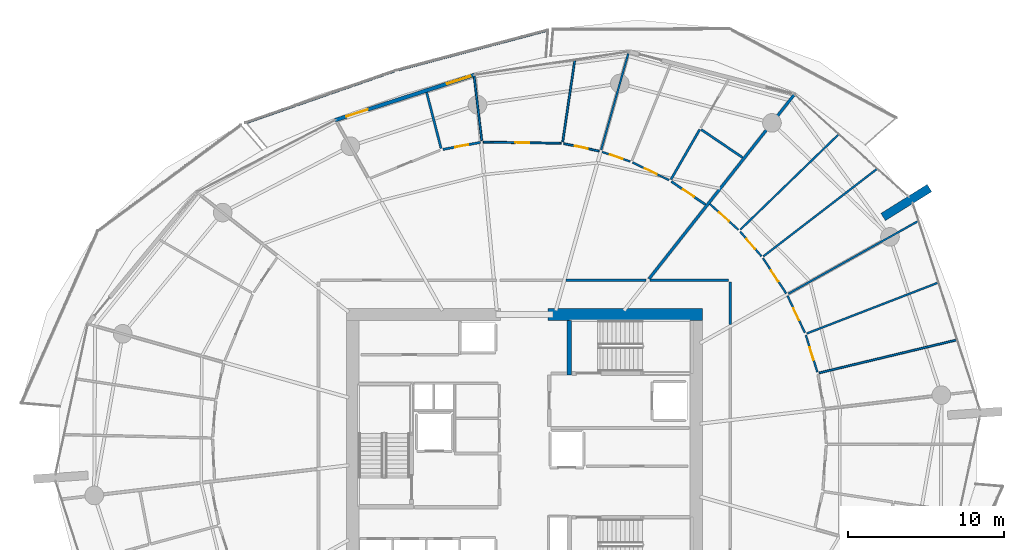
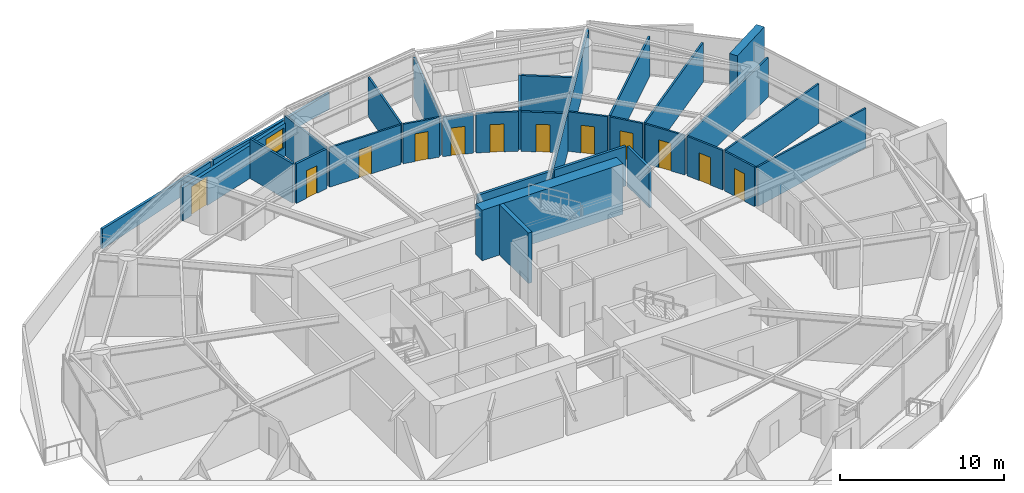
# One storey, part 15 of 23: 32 walls, 12 doors, 1 window, 13 openings.
"""IFC4 building model written with IfcOpenShell, lengths in metres."""

from ifc_helpers import new_model, si_unit, direction, frame, frame_2d, origin, place, context, subcontext, project, spatial, polyline, rectangle, outline, extrude, material, layer, layer_set, type_object, element, fill, save


model = new_model("IFC4")

# Units and contexts
model_context = context("Model", 3, precision=1e-05, world=origin(), true_north=direction((0.0, 1.0)))
body_context = subcontext(model_context, "Body", "Model", "MODEL_VIEW")
ifc_project = project(units=[si_unit("LENGTHUNIT", "METRE"), si_unit("AREAUNIT", "SQUARE_METRE"), si_unit("VOLUMEUNIT", "CUBIC_METRE"), si_unit("PLANEANGLEUNIT", "RADIAN"), si_unit("MASSUNIT", "GRAM", prefix="KILO")], contexts=[model_context])

# Site, building, storey
site_placement = place(None, origin())
site = spatial("IfcSite", under=ifc_project, at=site_placement, CompositionType="ELEMENT")
building_placement = place(site_placement, origin())
building = spatial("IfcBuilding", under=site, at=building_placement, Name="Kazma Halo Residences", CompositionType="ELEMENT")
storey_placement = place(building_placement, frame((0.0, 0.0, 105.14990234375)))
storey = spatial("IfcBuildingStorey", under=building, at=storey_placement, Name="L26", CompositionType="ELEMENT", Elevation=105.14990234375)

# Walls
ifc_material_1 = material(Name="White Concrete C50/60 Balustrade", Category="concrete")
ifc_layer_1 = layer(ifc_material_1, 0.179931640625)
ifc_layer_set_1 = layer_set([ifc_layer_1], Name="White Concrete C50/60 Balustrade")
wall_type_1 = type_object("IfcWallType", Name="WL-BAL-WAVE-180", PredefinedType="PARAPET", material=ifc_layer_set_1)
wall_1_placement = place(storey_placement, frame((49.935302734375, 68.672119140625, 0.0), z_axis=(0.0, 0.0, 1.0), x_axis=(-0.966557844724, -0.25644869429, 0.0)))
element("IfcWall", 1, at=wall_1_placement, inside=storey, type_object=wall_type_1, Name="L26 white wave balustrade wall NNW.1", PredefinedType="PARAPET", context=body_context, shape_type="SweptSolid", body=[
    extrude(outline(polyline([(0.0, 0.0), (9.97802734375, 0.0), (9.977783203125, 1.148193359375), (4.989013671875, 1.127197265625), (0.0, 1.22412109375), (0.0, 0.0)])), frame((0.0, 0.08984375, 0.0), z_axis=(0.0, -1.0, 0.0), x_axis=(1.0, 0.0, 0.0)), (0.0, 0.0, 1.0), 0.179931640625),
])
wall_2_placement = place(storey_placement, frame((40.061767578125, 66.04296875, 0.0), z_axis=(0.0, 0.0, 1.0), x_axis=(-0.944336605893, -0.328980812161, 0.0)))
element("IfcWall", 2, at=wall_2_placement, inside=storey, type_object=wall_type_1, Name="L26 white wave balustrade wall NNW.2", PredefinedType="PARAPET", context=body_context, shape_type="SweptSolid", body=[
    extrude(outline(polyline([(0.0, 0.0), (10.102294921875, 0.0), (10.102294921875, 1.483154296875), (5.05126953125, 1.2841796875), (0.0, 1.148193359375), (0.0, 0.0)])), frame((0.0, 0.08984375, 0.0), z_axis=(0.0, -1.0, 0.0), x_axis=(1.0, 0.0, 0.0)), (0.0, 0.0, 1.0), 0.179931640625),
])
ifc_material_2 = material(Name="Pale Concrete C60/75", Category="concrete")
ifc_layer_2 = layer(ifc_material_2, 0.550048828125)
ifc_layer_set_2 = layer_set([ifc_layer_2], Name="Pale Concrete C60/75")
wall_type_2 = type_object("IfcWallType", Name="WL-BLADE-550", PredefinedType="SOLIDWALL", material=ifc_layer_set_2)
wall_3_placement = place(storey_placement, frame((71.468505859375, 56.664794921875, 0.0), z_axis=(0.0, 0.0, 1.0), x_axis=(0.848053161125, 0.529911158502, 0.0)))
element("IfcWall", 3, at=wall_3_placement, inside=storey, type_object=wall_type_2, Name="L26 pale concrete structural blade fin wall BW-01", PredefinedType="SOLIDWALL", context=body_context, shape_type="SweptSolid", body=[
    extrude(rectangle(XDim=3.5, YDim=0.550048828125, at=frame_2d((1.75, 0.0))), origin(), (0.0, 0.0, 1.0), 3.75),
])
ifc_material_3 = material(Name="Concrete C80/95", Category="concrete")
ifc_layer_3 = layer(ifc_material_3, 0.800048828125)
ifc_layer_set_3 = layer_set([ifc_layer_3], Name="Concrete C80/95")
wall_type_3 = type_object("IfcWallType", Name="WL-CORE-800", PredefinedType="SHEAR", material=ifc_layer_set_3)
wall_4_placement = place(storey_placement, frame((49.949951171875, 50.39990234375, 0.0), z_axis=(0.0, 0.0, 1.0), x_axis=(1.0, 0.0, 0.0)))
element("IfcWall", 4, at=wall_4_placement, inside=storey, type_object=wall_type_3, Name="L26 central core shear wall NE", PredefinedType="SHEAR", context=body_context, shape_type="SweptSolid", body=[
    extrude(rectangle(XDim=9.900146484375, YDim=0.800048828125, at=frame_2d((4.9501953125, 0.0))), origin(), (0.0, 0.0, 1.0), 3.75),
])
ifc_material_4 = material(Name="Concrete C60/75", Category="concrete")
ifc_layer_4 = layer(ifc_material_4, 0.280029296875)
ifc_layer_set_4 = layer_set([ifc_layer_4], Name="Concrete C60/75")
wall_type_4 = type_object("IfcWallType", Name="WL-CORE-ST-280", PredefinedType="SHEAR", material=ifc_layer_set_4)
wall_5_placement = place(storey_placement, frame((51.31005859375, 46.5, 0.0), z_axis=(0.0, 0.0, 1.0), x_axis=(0.0, 1.0, 0.0)))
element("IfcWall", 5, at=wall_5_placement, inside=storey, type_object=wall_type_4, Name="L26 stairwell bearing wall ST02-W", PredefinedType="SHEAR", context=body_context, shape_type="SweptSolid", body=[
    extrude(rectangle(XDim=3.5, YDim=0.280029296875, at=frame_2d((1.75, 0.0))), origin(), (0.0, 0.0, 1.0), 3.75),
])
ifc_material_5 = material(Name="Acoustic Twin-Stud Gypsum")
ifc_layer_5 = layer(ifc_material_5, 0.179931640625)
ifc_layer_set_5 = layer_set([ifc_layer_5], Name="Acoustic Twin-Stud Gypsum")
wall_type_5 = type_object("IfcWallType", Name="WL-DEM-180", PredefinedType="PARTITIONING", material=ifc_layer_set_5)
wall_6_placement = place(storey_placement, frame((56.424560546875, 52.686279296875, 0.0), z_axis=(0.0, 0.0, 1.0), x_axis=(0.619083417853, 0.785325233098, 0.0)))
element("IfcWall", 6, at=wall_6_placement, inside=storey, type_object=wall_type_5, Name="L26 apartment demising radial wall 01", PredefinedType="PARTITIONING", context=body_context, shape_type="SweptSolid", body=[
    extrude(rectangle(XDim=15.063232421875, YDim=0.179931640625, at=frame_2d((7.53173828125, 0.0))), origin(), (0.0, 0.0, 1.0), 2.940185546875),
])
wall_7_placement = place(storey_placement, frame((56.236328125, 52.60009765625, 0.0), z_axis=(0.0, 0.0, 1.0), x_axis=(-1.0, 0.0, 0.0)))
element("IfcWall", 7, at=wall_7_placement, inside=storey, type_object=wall_type_5, Name="L26 Apartment 1 inner wall 1", PredefinedType="PARTITIONING", context=body_context, shape_type="SweptSolid", body=[
    extrude(rectangle(XDim=5.126708984375, YDim=0.179931640625, at=frame_2d((2.5634765625, 0.0))), origin(), (0.0, 0.0, 1.0), 2.940185546875),
])
wall_8_placement = place(storey_placement, frame((61.64990234375, 49.764404296875, 0.0), z_axis=(0.0, 0.0, 1.0), x_axis=(0.0, 1.0, 0.0)))
element("IfcWall", 8, at=wall_8_placement, inside=storey, type_object=wall_type_5, Name="L26 Apartment 3 inner wall 0", PredefinedType="PARTITIONING", context=body_context, shape_type="SweptSolid", body=[
    extrude(rectangle(XDim=2.715576171875, YDim=0.179931640625, at=frame_2d((1.35791015625, 0.0))), origin(), (0.0, 0.0, 1.0), 2.940185546875),
])
wall_9_placement = place(storey_placement, frame((61.530029296875, 52.60009765625, 0.0), z_axis=(0.0, 0.0, 1.0), x_axis=(-1.0, 0.0, 0.0)))
element("IfcWall", 9, at=wall_9_placement, inside=storey, type_object=wall_type_5, Name="L26 Apartment 3 inner wall 0", PredefinedType="PARTITIONING", context=body_context, shape_type="SweptSolid", body=[
    extrude(rectangle(XDim=5.0537109375, YDim=0.179931640625, at=frame_2d((2.52685546875, 0.0))), origin(), (0.0, 0.0, 1.0), 2.940185546875),
])

# Wall, openings, door, window
ifc_material_6 = material(Name="Insulated Pale-Metal Composite Wall")
ifc_layer_6 = layer(ifc_material_6, 0.239990234375)
ifc_layer_set_6 = layer_set([ifc_layer_6], Name="Insulated Pale-Metal Composite Wall")
wall_type_6 = type_object("IfcWallType", Name="WL-EXT-HOST-240", PredefinedType="SOLIDWALL", material=ifc_layer_set_6)
wall_10_placement = place(storey_placement, frame((45.23291015625, 65.797119140625, 0.0), z_axis=(0.0, 0.0, 1.0), x_axis=(-0.951052494852, -0.30902937083, 0.0)))
wall_10 = element("IfcWall", 10, at=wall_10_placement, inside=storey, type_object=wall_type_6, Name="L26 exterior terrace-access wall B04", PredefinedType="SOLIDWALL", context=body_context, shape_type="SweptSolid", body=[
    extrude(rectangle(XDim=9.44384765625, YDim=0.239990234375, at=frame_2d((4.721923828125, 0.0))), origin(), (0.0, 0.0, 1.0), 2.4501953125),
])
opening_1_placement = place(wall_10_placement, frame((7.223876953125, 0.0, 0.0)))
opening_1 = element("IfcOpeningElement", 11, at=opening_1_placement, cuts=wall_10, Name="Opening DTR-1600", PredefinedType="OPENING", context=body_context, shape_type="SweptSolid", body=[
    extrude(rectangle(XDim=1.449951171875, YDim=2.14990234375, at=frame_2d((0.72509765625, 1.074951171875))), frame((0.0, 0.1298828125, 0.0), z_axis=(0.0, -1.0, 0.0), x_axis=(1.0, 0.0, 0.0)), (0.0, 0.0, 1.0), 0.260009765625),
])
opening_2_placement = place(wall_10_placement, frame((0.280029296875, 0.0, 0.64990234375)))
opening_2 = element("IfcOpeningElement", 12, at=opening_2_placement, cuts=wall_10, Name="Opening W-1800", PredefinedType="OPENING", context=body_context, shape_type="SweptSolid", body=[
    extrude(rectangle(XDim=1.60009765625, YDim=1.5, at=frame_2d((0.800048828125, 0.75))), frame((0.0, 0.1298828125, 0.0), z_axis=(0.0, -1.0, 0.0), x_axis=(1.0, 0.0, 0.0)), (0.0, 0.0, 1.0), 0.260009765625),
])
ifc_material_7 = material(Name="Aluminium AW-6063 T6 Double-Glazed Terrace Door", Category="aluminium")
door_type_1 = type_object("IfcDoorType", Name="DR-EXT-TERR-1600", OperationType="NOTDEFINED", PredefinedType="DOOR", material=ifc_material_7)
door_1_placement = place(opening_1_placement, origin())
door_1 = element("IfcDoor", 13, at=door_1_placement, inside=storey, type_object=door_type_1, Name="L26 B04 balcony terrace door", OperationType="DOUBLE_DOOR_SLIDING", OverallHeight=2.14990234375, OverallWidth=1.449951171875, PredefinedType="DOOR", context=body_context, shape_type="SweptSolid", body=[
    extrude(rectangle(XDim=1.449951171875, YDim=2.14990234375, at=frame_2d((0.72509765625, 1.074951171875))), frame((0.0, 0.02490234375, 0.0), z_axis=(0.0, -1.0, 0.0), x_axis=(1.0, 0.0, 0.0)), (0.0, 0.0, 1.0), 0.050048828125),
])
fill(opening_1, door_1)
ifc_material_8 = material(Name="Clear Triple-Silver Low-E Glass in Aluminium AW-6063 T6 Frame", Category="aluminium")
window_type = type_object("IfcWindowType", Name="WIN-RES-1800", PartitioningType="DOUBLE_PANEL_VERTICAL", PredefinedType="WINDOW", material=ifc_material_8)
window_placement = place(opening_2_placement, origin())
window = element("IfcWindow", 14, at=window_placement, inside=storey, type_object=window_type, Name="L26 B04 apartment window", OverallHeight=1.5, OverallWidth=1.60009765625, PartitioningType="SINGLE_PANEL", PredefinedType="WINDOW", context=body_context, shape_type="SweptSolid", body=[
    extrude(rectangle(XDim=1.60009765625, YDim=1.5, at=frame_2d((0.800048828125, 0.75))), frame((0.0, 0.030029296875, 0.0), z_axis=(0.0, -1.0, 0.0), x_axis=(1.0, 0.0, 0.0)), (0.0, 0.0, 1.0), 0.06005859375),
])
fill(opening_2, window)

# Wall, opening, door
ifc_material_9 = material(Name="Gypsum Plasterboard Partition")
ifc_layer_7 = layer(ifc_material_9, 0.125)
ifc_layer_set_7 = layer_set([ifc_layer_7], Name="Gypsum Plasterboard Partition")
wall_type_7 = type_object("IfcWallType", Name="WL-PART-125", PredefinedType="PARTITIONING", material=ifc_layer_set_7)
wall_11_placement = place(storey_placement, frame((57.7080078125, 59.0302734375, 0.0), z_axis=(0.0, 0.0, 1.0), x_axis=(-0.899555648673, 0.436806175484, 0.0)))
wall_11 = element("IfcWall", 15, at=wall_11_placement, inside=storey, type_object=wall_type_7, Name="L26 Apartment 1 Gourmet Kitchen hall wall", PredefinedType="PARTITIONING", context=body_context, shape_type="SweptSolid", body=[
    extrude(rectangle(XDim=2.597412109375, YDim=0.125, at=frame_2d((1.298828125, 0.0))), origin(), (0.0, 0.0, 1.0), 2.940185546875),
])
opening_3_placement = place(wall_11_placement, frame((0.87353515625, 0.0, 0.0)))
opening_3 = element("IfcOpeningElement", 16, at=opening_3_placement, cuts=wall_11, Name="Opening DB-900", PredefinedType="OPENING", context=body_context, shape_type="SweptSolid", body=[
    extrude(rectangle(XDim=0.85009765625, YDim=2.06005859375, at=frame_2d((0.425048828125, 1.030029296875))), frame((0.0, 0.072509765625, 0.0), z_axis=(0.0, -1.0, 0.0), x_axis=(1.0, 0.0, 0.0)), (0.0, 0.0, 1.0), 0.14501953125),
])
ifc_material_10 = material(Name="Moisture-Sealed Timber Leaf", Category="wood")
door_type_2 = type_object("IfcDoorType", Name="DR-BTH-900", OperationType="NOTDEFINED", PredefinedType="DOOR", material=ifc_material_10)
door_2_placement = place(opening_3_placement, origin())
door_2 = element("IfcDoor", 17, at=door_2_placement, inside=storey, type_object=door_type_2, Name="L26 Apartment 1 Gourmet Kitchen door", OperationType="SINGLE_SWING_RIGHT", OverallHeight=2.06005859375, OverallWidth=0.85009765625, PredefinedType="DOOR", context=body_context, shape_type="SweptSolid", body=[
    extrude(rectangle(XDim=0.85009765625, YDim=2.06005859375, at=frame_2d((0.425048828125, 1.030029296875))), frame((0.0, 0.02490234375, 0.0), z_axis=(0.0, -1.0, 0.0), x_axis=(1.0, 0.0, 0.0)), (0.0, 0.0, 1.0), 0.050048828125),
])
fill(opening_3, door_2)

wall_12_placement = place(storey_placement, frame((55.223876953125, 60.2255859375, 0.0), z_axis=(0.0, 0.0, 1.0), x_axis=(-0.946642431702, 0.322285752866, 0.0)))
wall_12 = element("IfcWall", 18, at=wall_12_placement, inside=storey, type_object=wall_type_7, Name="L26 Apartment 1 Primary Bedroom hall wall", PredefinedType="PARTITIONING", context=body_context, shape_type="SweptSolid", body=[
    extrude(rectangle(XDim=1.908203125, YDim=0.125, at=frame_2d((0.9541015625, 0.0))), origin(), (0.0, 0.0, 1.0), 2.940185546875),
])
opening_4_placement = place(wall_12_placement, frame((0.529296875, 0.0, 0.0)))
opening_4 = element("IfcOpeningElement", 19, at=opening_4_placement, cuts=wall_12, Name="Opening DB-900", PredefinedType="OPENING", context=body_context, shape_type="SweptSolid", body=[
    extrude(rectangle(XDim=0.85009765625, YDim=2.06005859375, at=frame_2d((0.425048828125, 1.030029296875))), frame((0.0, 0.072509765625, 0.0), z_axis=(0.0, -1.0, 0.0), x_axis=(1.0, 0.0, 0.0)), (0.0, 0.0, 1.0), 0.14501953125),
])
door_3_placement = place(opening_4_placement, origin())
door_3 = element("IfcDoor", 20, at=door_3_placement, inside=storey, type_object=door_type_2, Name="L26 Apartment 1 Primary Bedroom door", OperationType="SINGLE_SWING_LEFT", OverallHeight=2.06005859375, OverallWidth=0.85009765625, PredefinedType="DOOR", context=body_context, shape_type="SweptSolid", body=[
    extrude(rectangle(XDim=0.85009765625, YDim=2.06005859375, at=frame_2d((0.425048828125, 1.030029296875))), frame((0.0, 0.02490234375, 0.0), z_axis=(0.0, -1.0, 0.0), x_axis=(1.0, 0.0, 0.0)), (0.0, 0.0, 1.0), 0.050048828125),
])
fill(opening_4, door_3)

# Walls
wall_13_placement = place(storey_placement, frame((53.349853515625, 60.968994140625, 0.0), z_axis=(0.0, 0.0, 1.0), x_axis=(0.271449341275, 0.962452728772, 0.0)))
element("IfcWall", 21, at=wall_13_placement, inside=storey, type_object=wall_type_7, Name="L26 Apartment 1 radial partition 2", PredefinedType="PARTITIONING", context=body_context, shape_type="SweptSolid", body=[
    extrude(rectangle(XDim=6.428955078125, YDim=0.125, at=frame_2d((3.21435546875, 0.0))), origin(), (0.0, 0.0, 1.0), 2.940185546875),
])
wall_14_placement = place(storey_placement, frame((50.8828125, 61.48681640625, 0.0), z_axis=(0.0, 0.0, 1.0), x_axis=(0.146319984384, 0.989237313373, 0.0)))
element("IfcWall", 22, at=wall_14_placement, inside=storey, type_object=wall_type_7, Name="L26 Apartment 1 mid-bay wall 2", PredefinedType="PARTITIONING", context=body_context, shape_type="SweptSolid", body=[
    extrude(rectangle(XDim=5.301025390625, YDim=0.125, at=frame_2d((2.650390625, 0.0))), origin(), (0.0, 0.0, 1.0), 2.940185546875),
])

# Wall, opening, door
wall_15_placement = place(storey_placement, frame((53.224853515625, 60.893798828125, 0.0), z_axis=(0.0, 0.0, 1.0), x_axis=(-0.977859146171, 0.209264163799, 0.0)))
wall_15 = element("IfcWall", 23, at=wall_15_placement, inside=storey, type_object=wall_type_7, Name="L26 Apartment 1 East Bedroom hall wall", PredefinedType="PARTITIONING", context=body_context, shape_type="SweptSolid", body=[
    extrude(rectangle(XDim=2.32861328125, YDim=0.125, at=frame_2d((1.164306640625, 0.0))), origin(), (0.0, 0.0, 1.0), 2.940185546875),
])
opening_5_placement = place(wall_15_placement, frame((0.7392578125, 0.0, 0.0)))
opening_5 = element("IfcOpeningElement", 24, at=opening_5_placement, cuts=wall_15, Name="Opening DB-900", PredefinedType="OPENING", context=body_context, shape_type="SweptSolid", body=[
    extrude(rectangle(XDim=0.85009765625, YDim=2.06005859375, at=frame_2d((0.425048828125, 1.030029296875))), frame((0.0, 0.072509765625, 0.0), z_axis=(0.0, -1.0, 0.0), x_axis=(1.0, 0.0, 0.0)), (0.0, 0.0, 1.0), 0.14501953125),
])
door_4_placement = place(opening_5_placement, origin())
door_4 = element("IfcDoor", 25, at=door_4_placement, inside=storey, type_object=door_type_2, Name="L26 Apartment 1 East Bedroom door", OperationType="SINGLE_SWING_LEFT", OverallHeight=2.06005859375, OverallWidth=0.85009765625, PredefinedType="DOOR", context=body_context, shape_type="SweptSolid", body=[
    extrude(rectangle(XDim=0.85009765625, YDim=2.06005859375, at=frame_2d((0.425048828125, 1.030029296875))), frame((0.0, 0.02490234375, 0.0), z_axis=(0.0, -1.0, 0.0), x_axis=(1.0, 0.0, 0.0)), (0.0, 0.0, 1.0), 0.050048828125),
])
fill(opening_5, door_4)

wall_16_placement = place(storey_placement, frame((50.78955078125, 61.399169921875, 0.0), z_axis=(0.0, 0.0, 1.0), x_axis=(-0.999894626753, 0.014516727973, 0.0)))
wall_16 = element("IfcWall", 26, at=wall_16_placement, inside=storey, type_object=wall_type_7, Name="L26 Apartment 1 West Bedroom hall wall", PredefinedType="PARTITIONING", context=body_context, shape_type="SweptSolid", body=[
    extrude(rectangle(XDim=4.994873046875, YDim=0.125, at=frame_2d((2.49755859375, 0.0))), origin(), (0.0, 0.0, 1.0), 2.940185546875),
])
opening_6_placement = place(wall_16_placement, frame((2.047607421875, 0.0, 0.0)))
opening_6 = element("IfcOpeningElement", 27, at=opening_6_placement, cuts=wall_16, Name="Opening DI-950", PredefinedType="OPENING", context=body_context, shape_type="SweptSolid", body=[
    extrude(rectangle(XDim=0.89990234375, YDim=2.080078125, at=frame_2d((0.449951171875, 1.0400390625))), frame((0.0, 0.072509765625, 0.0), z_axis=(0.0, -1.0, 0.0), x_axis=(1.0, 0.0, 0.0)), (0.0, 0.0, 1.0), 0.14501953125),
])
ifc_material_11 = material(Name="Timber Veneer Flush Leaf", Category="wood")
door_type_3 = type_object("IfcDoorType", Name="DR-INT-950", OperationType="NOTDEFINED", PredefinedType="DOOR", material=ifc_material_11)
door_5_placement = place(opening_6_placement, origin())
door_5 = element("IfcDoor", 28, at=door_5_placement, inside=storey, type_object=door_type_3, Name="L26 Apartment 1 West Bedroom door", OperationType="SINGLE_SWING_RIGHT", OverallHeight=2.080078125, OverallWidth=0.89990234375, PredefinedType="DOOR", context=body_context, shape_type="SweptSolid", body=[
    extrude(rectangle(XDim=0.89990234375, YDim=2.080078125, at=frame_2d((0.449951171875, 1.0400390625))), frame((0.0, 0.02490234375, 0.0), z_axis=(0.0, -1.0, 0.0), x_axis=(1.0, 0.0, 0.0)), (0.0, 0.0, 1.0), 0.050048828125),
])
fill(opening_6, door_5)

# Walls
wall_17_placement = place(storey_placement, frame((45.683349609375, 61.572509765625, 0.0), z_axis=(0.0, 0.0, 1.0), x_axis=(-0.117513626782, 0.993071270111, 0.0)))
element("IfcWall", 29, at=wall_17_placement, inside=storey, type_object=wall_type_7, Name="L26 Apartment 1 radial partition 3", PredefinedType="PARTITIONING", context=body_context, shape_type="SweptSolid", body=[
    extrude(rectangle(XDim=4.21337890625, YDim=0.125, at=frame_2d((2.106689453125, 0.0))), origin(), (0.0, 0.0, 1.0), 2.940185546875),
])
wall_18_placement = place(storey_placement, frame((67.35205078125, 46.64599609375, 0.0), z_axis=(0.0, 0.0, 1.0), x_axis=(0.972370982899, 0.233440938173, 0.0)))
element("IfcWall", 30, at=wall_18_placement, inside=storey, type_object=wall_type_7, Name="L26 Apartment 3 bay wall 1 15", PredefinedType="PARTITIONING", context=body_context, shape_type="SweptSolid", body=[
    extrude(rectangle(XDim=9.099853515625, YDim=0.125, at=frame_2d((4.5498046875, 0.0))), origin(), (0.0, 0.0, 1.0), 2.940185546875),
])
wall_19_placement = place(storey_placement, frame((66.561279296875, 49.180908203125, 0.0), z_axis=(0.0, 0.0, 1.0), x_axis=(0.932639821871, 0.360808761896, 0.0)))
element("IfcWall", 31, at=wall_19_placement, inside=storey, type_object=wall_type_7, Name="L26 Apartment 3 bay wall 2 15", PredefinedType="PARTITIONING", context=body_context, shape_type="SweptSolid", body=[
    extrude(rectangle(XDim=9.05419921875, YDim=0.125, at=frame_2d((4.527099609375, 0.0))), origin(), (0.0, 0.0, 1.0), 2.940185546875),
])

# Wall, opening, door
wall_20_placement = place(storey_placement, frame((67.24072265625, 46.701416015625, 0.0), z_axis=(0.0, 0.0, 1.0), x_axis=(-0.297793530793, 0.954630301749, 0.0)))
wall_20 = element("IfcWall", 32, at=wall_20_placement, inside=storey, type_object=wall_type_7, Name="L26 Apartment 3 Secondary Study hall wall", PredefinedType="PARTITIONING", context=body_context, shape_type="SweptSolid", body=[
    extrude(rectangle(XDim=2.483154296875, YDim=0.125, at=frame_2d((1.24169921875, 0.0))), origin(), (0.0, 0.0, 1.0), 2.940185546875),
])
opening_7_placement = place(wall_20_placement, frame((0.816650390625, 0.0, 0.0)))
opening_7 = element("IfcOpeningElement", 33, at=opening_7_placement, cuts=wall_20, Name="Opening DB-900", PredefinedType="OPENING", context=body_context, shape_type="SweptSolid", body=[
    extrude(rectangle(XDim=0.85009765625, YDim=2.06005859375, at=frame_2d((0.425048828125, 1.030029296875))), frame((0.0, 0.072509765625, 0.0), z_axis=(0.0, -1.0, 0.0), x_axis=(1.0, 0.0, 0.0)), (0.0, 0.0, 1.0), 0.14501953125),
])
door_6_placement = place(opening_7_placement, origin())
door_6 = element("IfcDoor", 34, at=door_6_placement, inside=storey, type_object=door_type_2, Name="L26 Apartment 3 Secondary Study door", OperationType="SINGLE_SWING_RIGHT", OverallHeight=2.06005859375, OverallWidth=0.85009765625, PredefinedType="DOOR", context=body_context, shape_type="SweptSolid", body=[
    extrude(rectangle(XDim=0.85009765625, YDim=2.06005859375, at=frame_2d((0.425048828125, 1.030029296875))), frame((0.0, 0.02490234375, 0.0), z_axis=(0.0, -1.0, 0.0), x_axis=(1.0, 0.0, 0.0)), (0.0, 0.0, 1.0), 0.050048828125),
])
fill(opening_7, door_6)

wall_21_placement = place(storey_placement, frame((66.443359375, 49.220703125, 0.0), z_axis=(0.0, 0.0, 1.0), x_axis=(-0.425730193436, 0.904850154665, 0.0)))
wall_21 = element("IfcWall", 35, at=wall_21_placement, inside=storey, type_object=wall_type_7, Name="L26 Apartment 3 East Bedroom hall wall", PredefinedType="PARTITIONING", context=body_context, shape_type="SweptSolid", body=[
    extrude(rectangle(XDim=2.638427734375, YDim=0.125, at=frame_2d((1.3193359375, 0.0))), origin(), (0.0, 0.0, 1.0), 2.940185546875),
])
opening_8_placement = place(wall_21_placement, frame((0.894287109375, 0.0, 0.0)))
opening_8 = element("IfcOpeningElement", 36, at=opening_8_placement, cuts=wall_21, Name="Opening DB-900", PredefinedType="OPENING", context=body_context, shape_type="SweptSolid", body=[
    extrude(rectangle(XDim=0.85009765625, YDim=2.06005859375, at=frame_2d((0.425048828125, 1.030029296875))), frame((0.0, 0.072509765625, 0.0), z_axis=(0.0, -1.0, 0.0), x_axis=(1.0, 0.0, 0.0)), (0.0, 0.0, 1.0), 0.14501953125),
])
door_7_placement = place(opening_8_placement, origin())
door_7 = element("IfcDoor", 37, at=door_7_placement, inside=storey, type_object=door_type_2, Name="L26 Apartment 3 East Bedroom door", OperationType="SINGLE_SWING_LEFT", OverallHeight=2.06005859375, OverallWidth=0.85009765625, PredefinedType="DOOR", context=body_context, shape_type="SweptSolid", body=[
    extrude(rectangle(XDim=0.85009765625, YDim=2.06005859375, at=frame_2d((0.425048828125, 1.030029296875))), frame((0.0, 0.02490234375, 0.0), z_axis=(0.0, -1.0, 0.0), x_axis=(1.0, 0.0, 0.0)), (0.0, 0.0, 1.0), 0.050048828125),
])
fill(opening_8, door_7)

# Walls
wall_22_placement = place(storey_placement, frame((65.373046875, 51.7294921875, 0.0), z_axis=(0.0, 0.0, 1.0), x_axis=(0.872500794254, 0.488612693272, 0.0)))
element("IfcWall", 38, at=wall_22_placement, inside=storey, type_object=wall_type_7, Name="L26 Apartment 3 radial partition 0", PredefinedType="PARTITIONING", context=body_context, shape_type="SweptSolid", body=[
    extrude(rectangle(XDim=9.567626953125, YDim=0.125, at=frame_2d((4.78369140625, 0.0))), origin(), (0.0, 0.0, 1.0), 2.940185546875),
])
wall_23_placement = place(storey_placement, frame((63.7734375, 54.13623046875, 0.0), z_axis=(0.0, 0.0, 1.0), x_axis=(0.792546059912, 0.609812055405, 0.0)))
element("IfcWall", 39, at=wall_23_placement, inside=storey, type_object=wall_type_7, Name="L26 Apartment 3 bay wall 1 0", PredefinedType="PARTITIONING", context=body_context, shape_type="SweptSolid", body=[
    extrude(rectangle(XDim=9.201416015625, YDim=0.125, at=frame_2d((4.6005859375, 0.0))), origin(), (0.0, 0.0, 1.0), 2.940185546875),
])
wall_24_placement = place(storey_placement, frame((62.2919921875, 55.85009765625, 0.0), z_axis=(0.0, 0.0, 1.0), x_axis=(0.718126885769, 0.695912189817, 0.0)))
element("IfcWall", 40, at=wall_24_placement, inside=storey, type_object=wall_type_7, Name="L26 Apartment 3 bay wall 2 0", PredefinedType="PARTITIONING", context=body_context, shape_type="SweptSolid", body=[
    extrude(rectangle(XDim=8.781005859375, YDim=0.125, at=frame_2d((4.390625, 0.0))), origin(), (0.0, 0.0, 1.0), 2.940185546875),
])

# Wall, opening, door
wall_25_placement = place(storey_placement, frame((65.24169921875, 51.747314453125, 0.0), z_axis=(0.0, 0.0, 1.0), x_axis=(-0.550669378286, 0.834723448705, 0.0)))
wall_25 = element("IfcWall", 41, at=wall_25_placement, inside=storey, type_object=wall_type_7, Name="L26 Apartment 3 West Bedroom hall wall", PredefinedType="PARTITIONING", context=body_context, shape_type="SweptSolid", body=[
    extrude(rectangle(XDim=2.716064453125, YDim=0.125, at=frame_2d((1.35791015625, 0.0))), origin(), (0.0, 0.0, 1.0), 2.940185546875),
])
opening_9_placement = place(wall_25_placement, frame((0.93310546875, 0.0, 0.0)))
opening_9 = element("IfcOpeningElement", 42, at=opening_9_placement, cuts=wall_25, Name="Opening DB-900", PredefinedType="OPENING", context=body_context, shape_type="SweptSolid", body=[
    extrude(rectangle(XDim=0.85009765625, YDim=2.06005859375, at=frame_2d((0.425048828125, 1.030029296875))), frame((0.0, 0.072509765625, 0.0), z_axis=(0.0, -1.0, 0.0), x_axis=(1.0, 0.0, 0.0)), (0.0, 0.0, 1.0), 0.14501953125),
])
door_8_placement = place(opening_9_placement, origin())
door_8 = element("IfcDoor", 43, at=door_8_placement, inside=storey, type_object=door_type_2, Name="L26 Apartment 3 West Bedroom door", OperationType="SINGLE_SWING_RIGHT", OverallHeight=2.06005859375, OverallWidth=0.85009765625, PredefinedType="DOOR", context=body_context, shape_type="SweptSolid", body=[
    extrude(rectangle(XDim=0.85009765625, YDim=2.06005859375, at=frame_2d((0.425048828125, 1.030029296875))), frame((0.0, 0.02490234375, 0.0), z_axis=(0.0, -1.0, 0.0), x_axis=(1.0, 0.0, 0.0)), (0.0, 0.0, 1.0), 0.050048828125),
])
fill(opening_9, door_8)

wall_26_placement = place(storey_placement, frame((63.64990234375, 54.141845703125, 0.0), z_axis=(0.0, 0.0, 1.0), x_axis=(-0.65397173696, 0.756518980104, 0.0)))
wall_26 = element("IfcWall", 44, at=wall_26_placement, inside=storey, type_object=wall_type_7, Name="L26 Apartment 3 North Study hall wall", PredefinedType="PARTITIONING", context=body_context, shape_type="SweptSolid", body=[
    extrude(rectangle(XDim=2.094970703125, YDim=0.125, at=frame_2d((1.04736328125, 0.0))), origin(), (0.0, 0.0, 1.0), 2.940185546875),
])
opening_10_placement = place(wall_26_placement, frame((0.62255859375, 0.0, 0.0)))
opening_10 = element("IfcOpeningElement", 45, at=opening_10_placement, cuts=wall_26, Name="Opening DB-900", PredefinedType="OPENING", context=body_context, shape_type="SweptSolid", body=[
    extrude(rectangle(XDim=0.85009765625, YDim=2.06005859375, at=frame_2d((0.425048828125, 1.030029296875))), frame((0.0, 0.072509765625, 0.0), z_axis=(0.0, -1.0, 0.0), x_axis=(1.0, 0.0, 0.0)), (0.0, 0.0, 1.0), 0.14501953125),
])
door_9_placement = place(opening_10_placement, origin())
door_9 = element("IfcDoor", 46, at=door_9_placement, inside=storey, type_object=door_type_2, Name="L26 Apartment 3 North Study door", OperationType="SINGLE_SWING_LEFT", OverallHeight=2.06005859375, OverallWidth=0.85009765625, PredefinedType="DOOR", context=body_context, shape_type="SweptSolid", body=[
    extrude(rectangle(XDim=0.85009765625, YDim=2.06005859375, at=frame_2d((0.425048828125, 1.030029296875))), frame((0.0, 0.02490234375, 0.0), z_axis=(0.0, -1.0, 0.0), x_axis=(1.0, 0.0, 0.0)), (0.0, 0.0, 1.0), 0.050048828125),
])
fill(opening_10, door_9)

wall_27_placement = place(storey_placement, frame((62.168212890625, 55.841064453125, 0.0), z_axis=(0.0, 0.0, 1.0), x_axis=(-0.742266682882, 0.67010459742, 0.0)))
wall_27 = element("IfcWall", 47, at=wall_27_placement, inside=storey, type_object=wall_type_7, Name="L26 Apartment 3 South Bedroom hall wall", PredefinedType="PARTITIONING", context=body_context, shape_type="SweptSolid", body=[
    extrude(rectangle(XDim=2.4833984375, YDim=0.125, at=frame_2d((1.24169921875, 0.0))), origin(), (0.0, 0.0, 1.0), 2.940185546875),
])
opening_11_placement = place(wall_27_placement, frame((0.816650390625, 0.0, 0.0)))
opening_11 = element("IfcOpeningElement", 48, at=opening_11_placement, cuts=wall_27, Name="Opening DB-900", PredefinedType="OPENING", context=body_context, shape_type="SweptSolid", body=[
    extrude(rectangle(XDim=0.85009765625, YDim=2.06005859375, at=frame_2d((0.425048828125, 1.030029296875))), frame((0.0, 0.072509765625, 0.0), z_axis=(0.0, -1.0, 0.0), x_axis=(1.0, 0.0, 0.0)), (0.0, 0.0, 1.0), 0.14501953125),
])
door_10_placement = place(opening_11_placement, origin())
door_10 = element("IfcDoor", 49, at=door_10_placement, inside=storey, type_object=door_type_2, Name="L26 Apartment 3 South Bedroom door", OperationType="SINGLE_SWING_RIGHT", OverallHeight=2.06005859375, OverallWidth=0.85009765625, PredefinedType="DOOR", context=body_context, shape_type="SweptSolid", body=[
    extrude(rectangle(XDim=0.85009765625, YDim=2.06005859375, at=frame_2d((0.425048828125, 1.030029296875))), frame((0.0, 0.02490234375, 0.0), z_axis=(0.0, -1.0, 0.0), x_axis=(1.0, 0.0, 0.0)), (0.0, 0.0, 1.0), 0.050048828125),
])
fill(opening_11, door_10)

ifc_material_12 = material(Name="Moisture-Resistant Gypsum")
ifc_layer_8 = layer(ifc_material_12, 0.14990234375)
ifc_layer_set_8 = layer_set([ifc_layer_8], Name="Moisture-Resistant Gypsum")
wall_type_8 = type_object("IfcWallType", Name="WL-WET-150", PredefinedType="PARTITIONING", material=ifc_layer_set_8)
wall_28_placement = place(storey_placement, frame((60.056884765625, 57.455322265625, 0.0), z_axis=(0.0, 0.0, 1.0), x_axis=(-0.828073269886, 0.560619888783, 0.0)))
wall_28 = element("IfcWall", 50, at=wall_28_placement, inside=storey, type_object=wall_type_8, Name="L26 Apartment 1 Guest Bathroom hall wall", PredefinedType="PARTITIONING", context=body_context, shape_type="SweptSolid", body=[
    extrude(rectangle(XDim=2.64892578125, YDim=0.14990234375, at=frame_2d((1.324462890625, 0.0))), origin(), (0.0, 0.0, 1.0), 2.940185546875),
])
opening_12_placement = place(wall_28_placement, frame((0.8994140625, 0.0, 0.0)))
opening_12 = element("IfcOpeningElement", 51, at=opening_12_placement, cuts=wall_28, Name="Opening DB-900", PredefinedType="OPENING", context=body_context, shape_type="SweptSolid", body=[
    extrude(rectangle(XDim=0.85009765625, YDim=2.06005859375, at=frame_2d((0.425048828125, 1.030029296875))), frame((0.0, 0.0849609375, 0.0), z_axis=(0.0, -1.0, 0.0), x_axis=(1.0, 0.0, 0.0)), (0.0, 0.0, 1.0), 0.169921875),
])
door_11_placement = place(opening_12_placement, origin())
door_11 = element("IfcDoor", 52, at=door_11_placement, inside=storey, type_object=door_type_2, Name="L26 Apartment 1 Guest Bathroom door", OperationType="SINGLE_SWING_RIGHT", OverallHeight=2.06005859375, OverallWidth=0.85009765625, PredefinedType="DOOR", context=body_context, shape_type="SweptSolid", body=[
    extrude(rectangle(XDim=0.85009765625, YDim=2.06005859375, at=frame_2d((0.425048828125, 1.030029296875))), frame((0.0, 0.02490234375, 0.0), z_axis=(0.0, -1.0, 0.0), x_axis=(1.0, 0.0, 0.0)), (0.0, 0.0, 1.0), 0.050048828125),
])
fill(opening_12, door_11)

# Walls
wall_29_placement = place(storey_placement, frame((62.4404296875, 60.478759765625, 0.0), z_axis=(0.0, 0.0, 1.0), x_axis=(-0.828057808374, 0.560642725798, 0.0)))
element("IfcWall", 53, at=wall_29_placement, inside=storey, type_object=wall_type_8, Name="L26 Apartment 1 Guest Bathroom back wall", PredefinedType="PARTITIONING", context=body_context, shape_type="SweptSolid", body=[
    extrude(rectangle(XDim=3.206298828125, YDim=0.14990234375, at=frame_2d((1.60302734375, 0.0))), origin(), (0.0, 0.0, 1.0), 2.940185546875),
])
wall_30_placement = place(storey_placement, frame((57.833740234375, 59.06884765625, 0.0), z_axis=(0.0, 0.0, 1.0), x_axis=(0.49925269443, 0.866456431164, 0.0)))
element("IfcWall", 54, at=wall_30_placement, inside=storey, type_object=wall_type_8, Name="L26 Apartment 1 Guest Bathroom side wall", PredefinedType="PARTITIONING", context=body_context, shape_type="SweptSolid", body=[
    extrude(rectangle(XDim=3.719970703125, YDim=0.14990234375, at=frame_2d((1.85986328125, 0.0))), origin(), (0.0, 0.0, 1.0), 2.940185546875),
])

# Wall, opening, door
wall_31_placement = place(storey_placement, frame((45.596923828125, 61.45458984375, 0.0), z_axis=(0.0, 0.0, 1.0), x_axis=(-0.982882310082, -0.18423453674, 0.0)))
wall_31 = element("IfcWall", 55, at=wall_31_placement, inside=storey, type_object=wall_type_8, Name="L26 Apartment 1 North En-Suite Bathroom hall wall", PredefinedType="PARTITIONING", context=body_context, shape_type="SweptSolid", body=[
    extrude(rectangle(XDim=2.456787109375, YDim=0.14990234375, at=frame_2d((1.228515625, 0.0))), origin(), (0.0, 0.0, 1.0), 2.940185546875),
])
opening_13_placement = place(wall_31_placement, frame((0.803466796875, 0.0, 0.0)))
opening_13 = element("IfcOpeningElement", 56, at=opening_13_placement, cuts=wall_31, Name="Opening DB-900", PredefinedType="OPENING", context=body_context, shape_type="SweptSolid", body=[
    extrude(rectangle(XDim=0.85009765625, YDim=2.06005859375, at=frame_2d((0.425048828125, 1.030029296875))), frame((0.0, 0.0849609375, 0.0), z_axis=(0.0, -1.0, 0.0), x_axis=(1.0, 0.0, 0.0)), (0.0, 0.0, 1.0), 0.169921875),
])
door_12_placement = place(opening_13_placement, origin())
door_12 = element("IfcDoor", 57, at=door_12_placement, inside=storey, type_object=door_type_2, Name="L26 Apartment 1 North En-Suite Bathroom door", OperationType="SINGLE_SWING_RIGHT", OverallHeight=2.06005859375, OverallWidth=0.85009765625, PredefinedType="DOOR", context=body_context, shape_type="SweptSolid", body=[
    extrude(rectangle(XDim=0.85009765625, YDim=2.06005859375, at=frame_2d((0.425048828125, 1.030029296875))), frame((0.0, 0.02490234375, 0.0), z_axis=(0.0, -1.0, 0.0), x_axis=(1.0, 0.0, 0.0)), (0.0, 0.0, 1.0), 0.050048828125),
])
fill(opening_13, door_12)

# Wall
wall_32_placement = place(storey_placement, frame((43.071044921875, 61.072509765625, 0.0), z_axis=(0.0, 0.0, 1.0), x_axis=(-0.250228515302, 0.968186805389, 0.0)))
element("IfcWall", 58, at=wall_32_placement, inside=storey, type_object=wall_type_8, Name="L26 Apartment 1 North En-Suite Bathroom side wall", PredefinedType="PARTITIONING", context=body_context, shape_type="SweptSolid", body=[
    extrude(rectangle(XDim=3.70751953125, YDim=0.14990234375, at=frame_2d((1.853759765625, 0.0))), origin(), (0.0, 0.0, 1.0), 2.940185546875),
])

save(model, "model.ifc")
